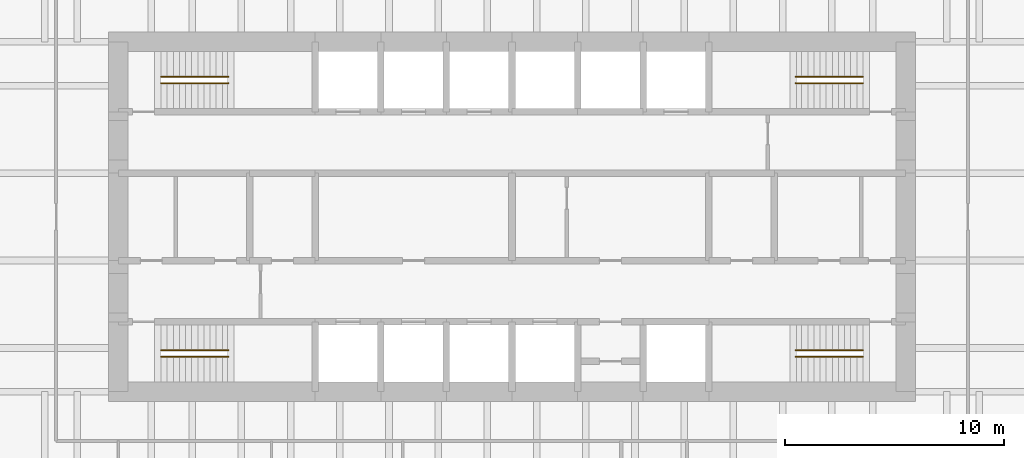
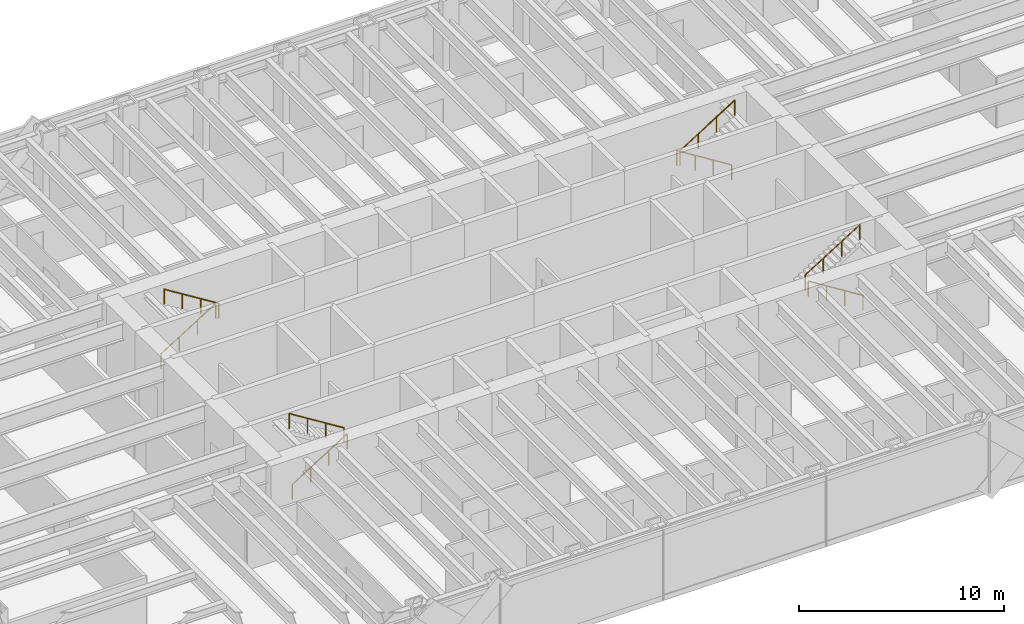
# One storey, part 19 of 19: 8 railings.
"""IFC4 building model written with IfcOpenShell, lengths in metres."""

from ifc_helpers import new_model, si_unit, direction, frame, origin, origin_2d, place, context, subcontext, project, spatial, circle, extrude, material, type_object, element, save


model = new_model("IFC4")

# Units and contexts
model_context = context("Model", 3, precision=1e-05, world=origin(), true_north=direction((0.0, 1.0)))
body_context = subcontext(model_context, "Body", "Model", "MODEL_VIEW")
ifc_project = project(units=[si_unit("LENGTHUNIT", "METRE"), si_unit("AREAUNIT", "SQUARE_METRE"), si_unit("VOLUMEUNIT", "CUBIC_METRE"), si_unit("PLANEANGLEUNIT", "RADIAN"), si_unit("MASSUNIT", "GRAM", prefix="KILO")], contexts=[model_context])

# Site, building, storey
site_placement = place(None, origin())
site = spatial("IfcSite", under=ifc_project, at=site_placement, CompositionType="ELEMENT")
building_placement = place(site_placement, origin())
building = spatial("IfcBuilding", under=site, at=building_placement, Name="Rheinbord Bourse Tower", CompositionType="ELEMENT")
storey_placement = place(building_placement, frame((0.0, 0.0, 167.699951171875)))
storey = spatial("IfcBuildingStorey", under=building, at=storey_placement, Name="L37", CompositionType="ELEMENT", Elevation=167.699951171875)

# Railings
ifc_material = material(Name="Steel handrail", Category="steel")
railing_type = type_object("IfcRailingType", Name="HANDRAIL 900", PredefinedType="HANDRAIL", material=ifc_material)
railing_1_placement = place(storey_placement, frame((19.949951171875, 17.60009765625, 0.175048828125)))
element("IfcRailing", 1, at=railing_1_placement, inside=storey, type_object=railing_type, Name="Handrail", PredefinedType="HANDRAIL", context=body_context, shape_type="SweptSolid", body=[
    extrude(circle(Radius=0.02392578125, at=origin_2d()), frame((0.0, 0.0, 0.8759765625), z_axis=(0.847998304005, 0.0, 0.529998940003), x_axis=(0.0, 1.0, 0.0)), (0.0, 0.0, 1.0), 3.632080078125),
    extrude(circle(Radius=0.02099609375, at=origin_2d()), origin(), (0.0, 0.0, 1.0), 0.851806640625),
    extrude(circle(Radius=0.02099609375, at=origin_2d()), frame((1.026611328125, 0.0, 0.6416015625)), (0.0, 0.0, 1.0), 0.851806640625),
    extrude(circle(Radius=0.02099609375, at=origin_2d()), frame((2.053466796875, 0.0, 1.283447265625)), (0.0, 0.0, 1.0), 0.851806640625),
    extrude(circle(Radius=0.02099609375, at=origin_2d()), frame((3.080078125, 0.0, 1.925048828125)), (0.0, 0.0, 1.0), 0.851806640625),
])
railing_2_placement = place(storey_placement, frame((23.030029296875, 17.89990234375, 2.275146484375)))
element("IfcRailing", 2, at=railing_2_placement, inside=storey, type_object=railing_type, Name="Handrail", PredefinedType="HANDRAIL", context=body_context, shape_type="SweptSolid", body=[
    extrude(circle(Radius=0.02392578125, at=origin_2d()), frame((0.0, 0.0, 0.8759765625), z_axis=(-0.848028513186, 0.0, 0.529950602248), x_axis=(0.0, -1.0, 0.0)), (0.0, 0.0, 1.0), 3.632080078125),
    extrude(circle(Radius=0.02099609375, at=origin_2d()), origin(), (0.0, 0.0, 1.0), 0.851806640625),
    extrude(circle(Radius=0.02099609375, at=origin_2d()), frame((-1.026611328125, 0.0, 0.6416015625)), (0.0, 0.0, 1.0), 0.851806640625),
    extrude(circle(Radius=0.02099609375, at=origin_2d()), frame((-2.053466796875, 0.0, 1.283203125)), (0.0, 0.0, 1.0), 0.851806640625),
    extrude(circle(Radius=0.02099609375, at=origin_2d()), frame((-3.080078125, 0.0, 1.9248046875)), (0.0, 0.0, 1.0), 0.851806640625),
])
railing_3_placement = place(storey_placement, frame((19.949951171875, 30.39990234375, 0.175048828125)))
element("IfcRailing", 3, at=railing_3_placement, inside=storey, type_object=railing_type, Name="Handrail", PredefinedType="HANDRAIL", context=body_context, shape_type="SweptSolid", body=[
    extrude(circle(Radius=0.02392578125, at=origin_2d()), frame((0.0, 0.0, 0.8759765625), z_axis=(0.847998304005, 0.0, 0.529998940003), x_axis=(0.0, 1.0, 0.0)), (0.0, 0.0, 1.0), 3.632080078125),
    extrude(circle(Radius=0.02099609375, at=origin_2d()), origin(), (0.0, 0.0, 1.0), 0.851806640625),
    extrude(circle(Radius=0.02099609375, at=origin_2d()), frame((1.026611328125, 0.0, 0.6416015625)), (0.0, 0.0, 1.0), 0.851806640625),
    extrude(circle(Radius=0.02099609375, at=origin_2d()), frame((2.053466796875, 0.0, 1.283447265625)), (0.0, 0.0, 1.0), 0.851806640625),
    extrude(circle(Radius=0.02099609375, at=origin_2d()), frame((3.080078125, 0.0, 1.925048828125)), (0.0, 0.0, 1.0), 0.851806640625),
])
railing_4_placement = place(storey_placement, frame((23.030029296875, 30.10009765625, 2.275146484375)))
element("IfcRailing", 4, at=railing_4_placement, inside=storey, type_object=railing_type, Name="Handrail", PredefinedType="HANDRAIL", context=body_context, shape_type="SweptSolid", body=[
    extrude(circle(Radius=0.02392578125, at=origin_2d()), frame((0.0, 0.0, 0.8759765625), z_axis=(-0.848028513186, 0.0, 0.529950602248), x_axis=(0.0, -1.0, 0.0)), (0.0, 0.0, 1.0), 3.632080078125),
    extrude(circle(Radius=0.02099609375, at=origin_2d()), origin(), (0.0, 0.0, 1.0), 0.851806640625),
    extrude(circle(Radius=0.02099609375, at=origin_2d()), frame((-1.026611328125, 0.0, 0.6416015625)), (0.0, 0.0, 1.0), 0.851806640625),
    extrude(circle(Radius=0.02099609375, at=origin_2d()), frame((-2.053466796875, 0.0, 1.283203125)), (0.0, 0.0, 1.0), 0.851806640625),
    extrude(circle(Radius=0.02099609375, at=origin_2d()), frame((-3.080078125, 0.0, 1.9248046875)), (0.0, 0.0, 1.0), 0.851806640625),
])
railing_5_placement = place(storey_placement, frame((52.050048828125, 17.60009765625, 0.175048828125)))
element("IfcRailing", 5, at=railing_5_placement, inside=storey, type_object=railing_type, Name="Handrail", PredefinedType="HANDRAIL", context=body_context, shape_type="SweptSolid", body=[
    extrude(circle(Radius=0.02392578125, at=origin_2d()), frame((0.0, 0.0, 0.8759765625), z_axis=(-0.847998304005, 0.0, 0.529998940003), x_axis=(0.0, -1.0, 0.0)), (0.0, 0.0, 1.0), 3.632080078125),
    extrude(circle(Radius=0.02099609375, at=origin_2d()), origin(), (0.0, 0.0, 1.0), 0.851806640625),
    extrude(circle(Radius=0.02099609375, at=origin_2d()), frame((-1.026611328125, 0.0, 0.6416015625)), (0.0, 0.0, 1.0), 0.851806640625),
    extrude(circle(Radius=0.02099609375, at=origin_2d()), frame((-2.053466796875, 0.0, 1.283447265625)), (0.0, 0.0, 1.0), 0.851806640625),
    extrude(circle(Radius=0.02099609375, at=origin_2d()), frame((-3.080078125, 0.0, 1.925048828125)), (0.0, 0.0, 1.0), 0.851806640625),
])
railing_6_placement = place(storey_placement, frame((48.969970703125, 17.89990234375, 2.275146484375)))
element("IfcRailing", 6, at=railing_6_placement, inside=storey, type_object=railing_type, Name="Handrail", PredefinedType="HANDRAIL", context=body_context, shape_type="SweptSolid", body=[
    extrude(circle(Radius=0.02392578125, at=origin_2d()), frame((0.0, 0.0, 0.8759765625), z_axis=(0.848028513186, 0.0, 0.529950602248), x_axis=(0.0, 1.0, 0.0)), (0.0, 0.0, 1.0), 3.632080078125),
    extrude(circle(Radius=0.02099609375, at=origin_2d()), origin(), (0.0, 0.0, 1.0), 0.851806640625),
    extrude(circle(Radius=0.02099609375, at=origin_2d()), frame((1.026611328125, 0.0, 0.6416015625)), (0.0, 0.0, 1.0), 0.851806640625),
    extrude(circle(Radius=0.02099609375, at=origin_2d()), frame((2.053466796875, 0.0, 1.283203125)), (0.0, 0.0, 1.0), 0.851806640625),
    extrude(circle(Radius=0.02099609375, at=origin_2d()), frame((3.080078125, 0.0, 1.9248046875)), (0.0, 0.0, 1.0), 0.851806640625),
])
railing_7_placement = place(storey_placement, frame((52.050048828125, 30.39990234375, 0.175048828125)))
element("IfcRailing", 7, at=railing_7_placement, inside=storey, type_object=railing_type, Name="Handrail", PredefinedType="HANDRAIL", context=body_context, shape_type="SweptSolid", body=[
    extrude(circle(Radius=0.02392578125, at=origin_2d()), frame((0.0, 0.0, 0.8759765625), z_axis=(-0.847998304005, 0.0, 0.529998940003), x_axis=(0.0, -1.0, 0.0)), (0.0, 0.0, 1.0), 3.632080078125),
    extrude(circle(Radius=0.02099609375, at=origin_2d()), origin(), (0.0, 0.0, 1.0), 0.851806640625),
    extrude(circle(Radius=0.02099609375, at=origin_2d()), frame((-1.026611328125, 0.0, 0.6416015625)), (0.0, 0.0, 1.0), 0.851806640625),
    extrude(circle(Radius=0.02099609375, at=origin_2d()), frame((-2.053466796875, 0.0, 1.283447265625)), (0.0, 0.0, 1.0), 0.851806640625),
    extrude(circle(Radius=0.02099609375, at=origin_2d()), frame((-3.080078125, 0.0, 1.925048828125)), (0.0, 0.0, 1.0), 0.851806640625),
])
railing_8_placement = place(storey_placement, frame((48.969970703125, 30.10009765625, 2.275146484375)))
element("IfcRailing", 8, at=railing_8_placement, inside=storey, type_object=railing_type, Name="Handrail", PredefinedType="HANDRAIL", context=body_context, shape_type="SweptSolid", body=[
    extrude(circle(Radius=0.02392578125, at=origin_2d()), frame((0.0, 0.0, 0.8759765625), z_axis=(0.848028513186, 0.0, 0.529950602248), x_axis=(0.0, 1.0, 0.0)), (0.0, 0.0, 1.0), 3.632080078125),
    extrude(circle(Radius=0.02099609375, at=origin_2d()), origin(), (0.0, 0.0, 1.0), 0.851806640625),
    extrude(circle(Radius=0.02099609375, at=origin_2d()), frame((1.026611328125, 0.0, 0.6416015625)), (0.0, 0.0, 1.0), 0.851806640625),
    extrude(circle(Radius=0.02099609375, at=origin_2d()), frame((2.053466796875, 0.0, 1.283203125)), (0.0, 0.0, 1.0), 0.851806640625),
    extrude(circle(Radius=0.02099609375, at=origin_2d()), frame((3.080078125, 0.0, 1.9248046875)), (0.0, 0.0, 1.0), 0.851806640625),
])

save(model, "model.ifc")
